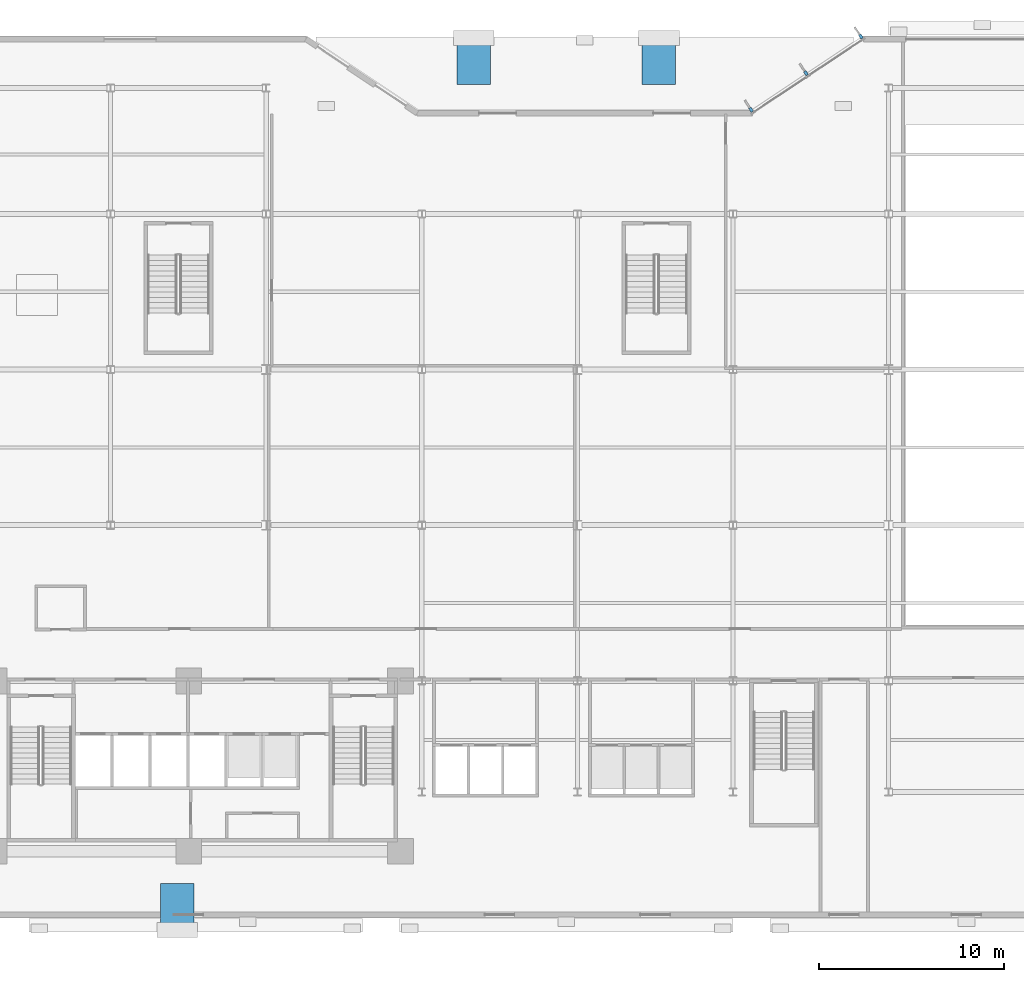
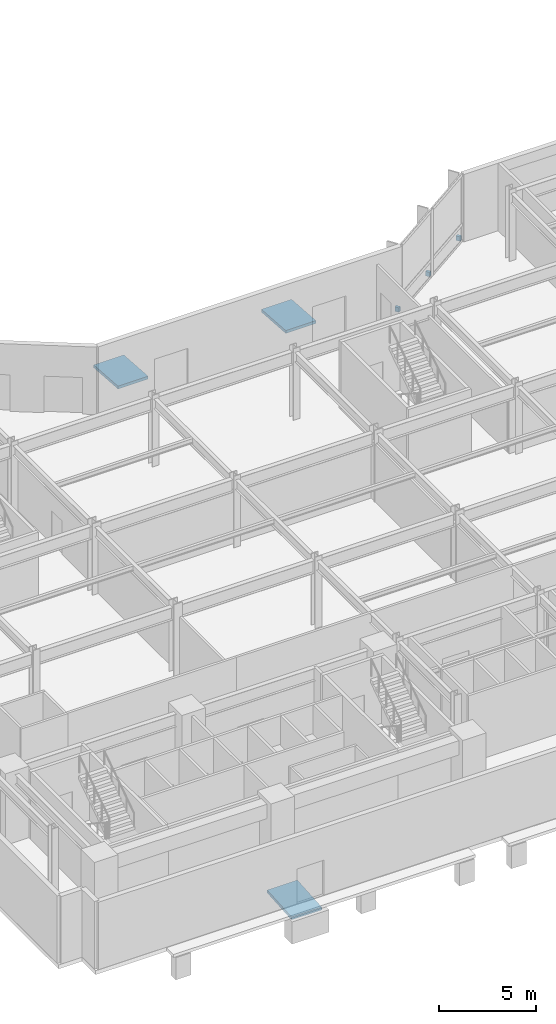
# One storey, part 18 of 26: 3 discrete accessories, 3 ramp flights, 3 elements without a shape of their own.
"""IFC4 building model written with IfcOpenShell, lengths in metres."""

from ifc_helpers import new_model, si_unit, direction, frame, origin, origin_2d, place, context, subcontext, project, spatial, polyline, rectangle, outline, extrude, material, layer, layer_set, type_object, element, aggregate, save


model = new_model("IFC4")

# Units and contexts
model_context = context("Model", 3, precision=1e-05, world=origin(), true_north=direction((0.0, 1.0)))
body_context = subcontext(model_context, "Body", "Model", "MODEL_VIEW")
ifc_project = project(units=[si_unit("LENGTHUNIT", "METRE"), si_unit("AREAUNIT", "SQUARE_METRE"), si_unit("VOLUMEUNIT", "CUBIC_METRE"), si_unit("PLANEANGLEUNIT", "RADIAN"), si_unit("MASSUNIT", "GRAM", prefix="KILO")], contexts=[model_context])

# Site, building, storey
site_placement = place(None, origin())
site = spatial("IfcSite", under=ifc_project, at=site_placement, CompositionType="ELEMENT")
building_placement = place(site_placement, origin())
building = spatial("IfcBuilding", under=site, at=building_placement, Name="Varnakote Quay Hospital", CompositionType="ELEMENT")
storey_placement = place(building_placement, origin())
storey = spatial("IfcBuildingStorey", under=building, at=storey_placement, Name="L00", CompositionType="ELEMENT", Elevation=0.0)

# Ramp, ramp flight
ifc_material_1 = material(Name="Concrete N40 (f'c 40 MPa)", Category="concrete")
ramp_type = type_object("IfcRampType", Name="RMP-PED-ASSY", PredefinedType="STRAIGHT_RUN_RAMP", material=ifc_material_1)
ramp_1_placement = place(storey_placement, origin())
ramp_1 = element("IfcRamp", 1, at=ramp_1_placement, inside=storey, type_object=ramp_type, Name="Waterfront Concourse Accessible Ramp", PredefinedType="STRAIGHT_RUN_RAMP")
ifc_material_2 = material(Name="Concrete N40 (f'c 40 MPa)", Category="concrete")
ifc_layer = layer(ifc_material_2, 0.179931640625)
ifc_layer_set = layer_set([ifc_layer], Name="Concrete N40 (f'c 40 MPa)")
ramp_flight_type = type_object("IfcRampFlightType", Name="RMP-PED-FLT-180", PredefinedType="STRAIGHT", material=ifc_layer_set)
ramp_flight_1_placement = place(storey_placement, frame((28.0, 46.699951171875, -0.179931640625), z_axis=(0.0, 0.0, 1.0), x_axis=(0.0, -1.0, 0.0)))
ramp_flight_1 = element("IfcRampFlight", 2, at=ramp_flight_1_placement, type_object=ramp_flight_type, Name="Waterfront Concourse Accessible Ramp Flight", PredefinedType="STRAIGHT", context=body_context, shape_type="SweptSolid", body=[
    extrude(outline(polyline([(0.0, 0.0), (2.52001953125, 0.179931640625), (2.52001953125, 0.0), (0.0, -0.179931640625), (0.0, 0.0)])), frame((0.0, 0.89990234375, 0.0), z_axis=(0.0, -1.0, 0.0), x_axis=(1.0, 0.0, 0.0)), (0.0, 0.0, 1.0), 1.800048828125),
])
aggregate(ramp_1, [ramp_flight_1])

ramp_2_placement = place(storey_placement, origin())
ramp_2 = element("IfcRamp", 3, at=ramp_2_placement, inside=storey, type_object=ramp_type, Name="Broadwater Promenade Accessible Ramp", PredefinedType="STRAIGHT_RUN_RAMP")
ramp_flight_2_placement = place(storey_placement, frame((38.0, 46.699951171875, -0.179931640625), z_axis=(0.0, 0.0, 1.0), x_axis=(0.0, -1.0, 0.0)))
ramp_flight_2 = element("IfcRampFlight", 4, at=ramp_flight_2_placement, type_object=ramp_flight_type, Name="Broadwater Promenade Accessible Ramp Flight", PredefinedType="STRAIGHT", context=body_context, shape_type="SweptSolid", body=[
    extrude(outline(polyline([(0.0, 0.0), (2.52001953125, 0.179931640625), (2.52001953125, 0.0), (0.0, -0.179931640625), (0.0, 0.0)])), frame((0.0, 0.89990234375, 0.0), z_axis=(0.0, -1.0, 0.0), x_axis=(1.0, 0.0, 0.0)), (0.0, 0.0, 1.0), 1.800048828125),
])
aggregate(ramp_2, [ramp_flight_2])

ramp_3_placement = place(storey_placement, origin())
ramp_3 = element("IfcRamp", 5, at=ramp_3_placement, inside=storey, type_object=ramp_type, Name="South Entrance Accessible Ramp", PredefinedType="STRAIGHT_RUN_RAMP")
ramp_flight_3_placement = place(storey_placement, frame((12.0, -1.449951171875, -0.179931640625), z_axis=(0.0, 0.0, 1.0), x_axis=(0.0, 1.0, 0.0)))
ramp_flight_3 = element("IfcRampFlight", 6, at=ramp_flight_3_placement, type_object=ramp_flight_type, Name="South Entrance Accessible Ramp Flight", PredefinedType="STRAIGHT", context=body_context, shape_type="SweptSolid", body=[
    extrude(outline(polyline([(0.0, 0.0), (2.52001953125, 0.179931640625), (2.52001953125, 0.0), (0.0, -0.179931640625), (0.0, 0.0)])), frame((0.0, 0.89990234375, 0.0), z_axis=(0.0, -1.0, 0.0), x_axis=(1.0, 0.0, 0.0)), (0.0, 0.0, 1.0), 1.800048828125),
])
aggregate(ramp_3, [ramp_flight_3])

# Discrete accessories
ifc_material_3 = material(Name="Anodised aluminium 6063-T6 Bronze", Category="aluminium")
discrete_accessory_type = type_object("IfcDiscreteAccessoryType", Name="ACC-FIN-BRACKET-180", PredefinedType="BRACKET", material=ifc_material_3)
for number, where, z_axis, x_axis, name in (
    (7, (48.90771484375, 46.7744140625, 0.0), (0.0, 0.0, 1.0), (-0.83205094808, -0.554699215611, 0.0), "L00 Curtain Wall Fin Fixing Bracket"),
    (8, (45.943115234375, 44.798095703125, 0.0), (0.0, 0.0, 1.0), (-0.83205094808, -0.554699215611, 0.0), "L00 Curtain Wall Fin Fixing Bracket"),
    (9, (42.978515625, 42.82177734375, 0.0), (0.0, 0.0, 1.0), (-0.83205094808, -0.554699215611, 0.0), "L00 Curtain Wall Fin Fixing Bracket"),
):
    element("IfcDiscreteAccessory", number, at=place(storey_placement, frame(where, z_axis=z_axis, x_axis=x_axis)), inside=storey, type_object=discrete_accessory_type, Name=name, PredefinedType="BRACKET", context=body_context, shape_type="SweptSolid", body=[
        extrude(rectangle(XDim=0.159912109375, YDim=0.239990234375, at=origin_2d()), origin(), (0.0, 0.0, 1.0), 0.280029296875),
    ])

save(model, "model.ifc")
